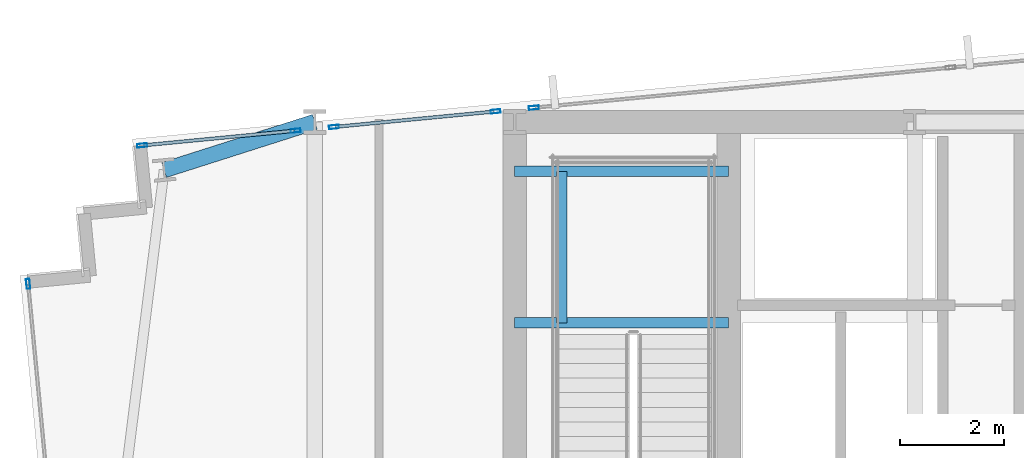
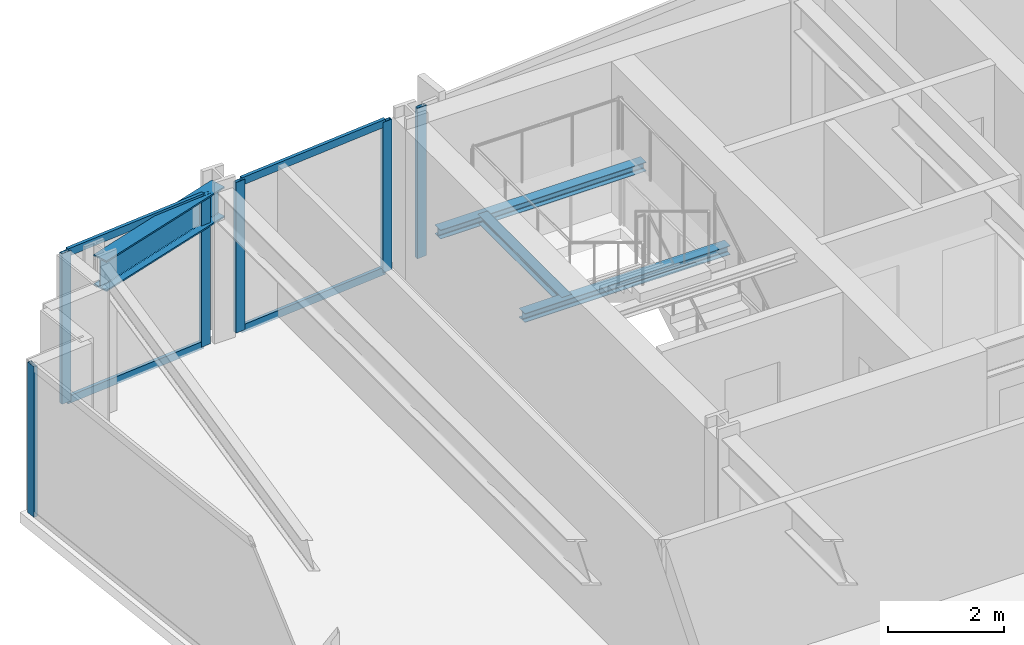
# One storey, part 17 of 32: 10 members, 4 beams, 4 elements without a shape of their own.
"""IFC4 building model written with IfcOpenShell, lengths in metres."""

from ifc_helpers import new_model, si_unit, direction, frame, origin, origin_2d, place, context, subcontext, project, spatial, hollow_rectangle, i_section, extrude, material, material_profile, profile_set, type_object, element, aggregate, save


model = new_model("IFC4")

# Units and contexts
model_context = context("Model", 3, precision=1e-05, world=origin(), true_north=direction((0.0, 1.0)))
body_context = subcontext(model_context, "Body", "Model", "MODEL_VIEW")
ifc_project = project(units=[si_unit("LENGTHUNIT", "METRE"), si_unit("AREAUNIT", "SQUARE_METRE"), si_unit("VOLUMEUNIT", "CUBIC_METRE"), si_unit("PLANEANGLEUNIT", "RADIAN"), si_unit("MASSUNIT", "GRAM", prefix="KILO")], contexts=[model_context])

# Site, building, storey
site_placement = place(None, origin())
site = spatial("IfcSite", under=ifc_project, at=site_placement, CompositionType="ELEMENT")
building_placement = place(site_placement, origin())
building = spatial("IfcBuilding", under=site, at=building_placement, Name="Yelkora Congress Tower", CompositionType="ELEMENT")
storey_placement = place(building_placement, frame((0.0, 0.0, 96.5)))
storey = spatial("IfcBuildingStorey", under=building, at=storey_placement, Name="L25", CompositionType="ELEMENT", Elevation=96.5)

# Beams
ifc_material_1 = material(Name="Steel S355J2", Category="steel")
ifc_material_profile_1 = material_profile(ifc_material_1, i_section(OverallWidth=0.300048828125, OverallDepth=0.64990234375, WebThickness=0.01611328125, FlangeThickness=0.031005859375, FilletRadius=0.027099609375, at=origin_2d()), Name="HEB 650")
ifc_profile_set_1 = profile_set([ifc_material_profile_1], Name="Steel S355J2")
beam_type_1 = type_object("IfcBeamType", Name="BM-GIRD-HEB650", PredefinedType="BEAM", material=ifc_profile_set_1)
beam_1_placement = place(storey_placement, frame((16.306884765625, 45.27734375, 2.85498046875), z_axis=(0.952727067409, 0.303827475759, 0.0), x_axis=(-0.303827475759, 0.952727067409, 0.0)))
element("IfcBeam", 1, at=beam_1_placement, inside=storey, type_object=beam_type_1, Name="L25 Primary Frame Girder N01", PredefinedType="BEAM", context=body_context, shape_type="SweptSolid", body=[
    extrude(i_section(OverallWidth=0.300048828125, OverallDepth=0.64990234375, WebThickness=0.01611328125, FlangeThickness=0.031005859375, FilletRadius=0.027099609375, at=origin_2d()), origin(), (0.0, 0.0, 1.0), 3.03662109375),
])
ifc_material_profile_2 = material_profile(ifc_material_1, i_section(OverallWidth=0.199951171875, OverallDepth=0.18994140625, WebThickness=0.006591796875, FlangeThickness=0.010009765625, FilletRadius=0.01806640625, at=origin_2d()), Name="HEA 200")
ifc_profile_set_2 = profile_set([ifc_material_profile_2], Name="Steel S355J2")
beam_type_2 = type_object("IfcBeamType", Name="BM-LAND-HEA200", PredefinedType="BEAM", material=ifc_profile_set_2)
for number, where, z_axis, x_axis, name in (
    (2, (23.0400390625, 42.340087890625, 1.384521484375), (1.0, 0.0, 0.0), (0.0, 1.0, 0.0), "ST-01 L25 Landing Header Beam 1S"),
    (3, (23.0400390625, 45.25, 1.384521484375), (1.0, 0.0, 0.0), (0.0, 1.0, 0.0), "ST-01 L25 Landing Header Beam 1N"),
):
    element("IfcBeam", number, at=place(storey_placement, frame(where, z_axis=z_axis, x_axis=x_axis)), inside=storey, type_object=beam_type_2, Name=name, PredefinedType="BEAM", context=body_context, shape_type="SweptSolid", body=[
        extrude(i_section(OverallWidth=0.199951171875, OverallDepth=0.18994140625, WebThickness=0.006591796875, FlangeThickness=0.010009765625, FilletRadius=0.01806640625, at=origin_2d()), origin(), (0.0, 0.0, 1.0), 4.10986328125),
    ])
beam_2_placement = place(storey_placement, frame((23.93994140625, 42.340087890625, 1.384521484375), z_axis=(0.0, 1.0, 0.0), x_axis=(-1.0, 0.0, 0.0)))
element("IfcBeam", 4, at=beam_2_placement, inside=storey, type_object=beam_type_2, Name="ST-01 L25 Landing Trimmer Beam 1M", PredefinedType="BEAM", context=body_context, shape_type="SweptSolid", body=[
    extrude(i_section(OverallWidth=0.199951171875, OverallDepth=0.18994140625, WebThickness=0.006591796875, FlangeThickness=0.010009765625, FilletRadius=0.01806640625, at=origin_2d()), origin(), (0.0, 0.0, 1.0), 2.909912109375),
])

# Curtain wall, member
ifc_material_2 = material(Name="Anodised aluminium and insulated glass", Category="aluminium")
curtain_wall_type = type_object("IfcCurtainWallType", Name="CW-SYS-B2", PredefinedType="NOTDEFINED", material=ifc_material_2)
curtain_wall_1_placement = place(storey_placement, origin())
curtain_wall_1 = element("IfcCurtainWall", 5, at=curtain_wall_1_placement, inside=storey, type_object=curtain_wall_type, Name="L25 Unitised Curtain Wall 5", PredefinedType="NOTDEFINED")
ifc_material_3 = material(Name="Anodised aluminium 6063-T6", Category="aluminium")
ifc_material_profile_3 = material_profile(ifc_material_3, hollow_rectangle(XDim=0.070068359375, YDim=0.18994140625, WallThickness=0.00390625, at=origin_2d()), Name="ALU 70x190x4")
ifc_profile_set_3 = profile_set([ifc_material_profile_3], Name="Anodised aluminium 6063-T6")
member_type_1 = type_object("IfcMemberType", Name="MEM-ML-B2", PredefinedType="MULLION", material=ifc_profile_set_3)
member_1_placement = place(storey_placement, frame((13.6943359375, 43.091796875, 0.0), z_axis=(0.0, 0.0, 1.0), x_axis=(-0.995396507508, -0.095842541913, 0.0)))
member_1 = element("IfcMember", 6, at=member_1_placement, type_object=member_type_1, Name="CW-B2 mullion 5", PredefinedType="MULLION", context=body_context, shape_type="SweptSolid", body=[
    extrude(hollow_rectangle(XDim=0.070068359375, YDim=0.18994140625, WallThickness=0.00390625, at=origin_2d()), origin(), (0.0, 0.0, 1.0), 3.179931640625),
])
aggregate(curtain_wall_1, [member_1])

# Curtain wall, members
curtain_wall_2_placement = place(storey_placement, origin())
curtain_wall_2 = element("IfcCurtainWall", 7, at=curtain_wall_2_placement, inside=storey, type_object=curtain_wall_type, Name="L25 Unitised Curtain Wall 10 (1)", PredefinedType="NOTDEFINED")
member_2_placement = place(storey_placement, frame((15.884521484375, 45.7490234375, 0.0), z_axis=(0.0, 0.0, 1.0), x_axis=(-0.095839346142, 0.99539681521, 0.0)))
member_2 = element("IfcMember", 8, at=member_2_placement, type_object=member_type_1, Name="CW-B2 mullion 1", PredefinedType="MULLION", context=body_context, shape_type="SweptSolid", body=[
    extrude(hollow_rectangle(XDim=0.070068359375, YDim=0.18994140625, WallThickness=0.00390625, at=origin_2d()), origin(), (0.0, 0.0, 1.0), 3.179931640625),
])
member_3_placement = place(storey_placement, frame((18.833251953125, 46.032958984375, 0.0), z_axis=(0.0, 0.0, 1.0), x_axis=(-0.095839346142, 0.99539681521, 0.0)))
member_3 = element("IfcMember", 9, at=member_3_placement, type_object=member_type_1, Name="CW-B2 mullion 2", PredefinedType="MULLION", context=body_context, shape_type="SweptSolid", body=[
    extrude(hollow_rectangle(XDim=0.070068359375, YDim=0.18994140625, WallThickness=0.00390625, at=origin_2d()), origin(), (0.0, 0.0, 1.0), 3.179931640625),
])

curtain_wall_3_placement = place(storey_placement, origin())
curtain_wall_3 = element("IfcCurtainWall", 10, at=curtain_wall_3_placement, inside=storey, type_object=curtain_wall_type, Name="L25 Unitised Curtain Wall 10 (2)", PredefinedType="NOTDEFINED")
member_4_placement = place(storey_placement, frame((19.56689453125, 46.103515625, 0.0), z_axis=(0.0, 0.0, 1.0), x_axis=(-0.095841399764, 0.99539661748, 0.0)))
member_4 = element("IfcMember", 11, at=member_4_placement, type_object=member_type_1, Name="CW-B2 mullion 1", PredefinedType="MULLION", context=body_context, shape_type="SweptSolid", body=[
    extrude(hollow_rectangle(XDim=0.070068359375, YDim=0.18994140625, WallThickness=0.00390625, at=origin_2d()), origin(), (0.0, 0.0, 1.0), 3.179931640625),
])
member_5_placement = place(storey_placement, frame((22.673095703125, 46.402587890625, 0.0), z_axis=(0.0, 0.0, 1.0), x_axis=(-0.095841399764, 0.99539661748, 0.0)))
member_5 = element("IfcMember", 12, at=member_5_placement, type_object=member_type_1, Name="CW-B2 mullion 2", PredefinedType="MULLION", context=body_context, shape_type="SweptSolid", body=[
    extrude(hollow_rectangle(XDim=0.070068359375, YDim=0.18994140625, WallThickness=0.00390625, at=origin_2d()), origin(), (0.0, 0.0, 1.0), 3.179931640625),
])

# Curtain wall, member
curtain_wall_4_placement = place(storey_placement, origin())
curtain_wall_4 = element("IfcCurtainWall", 13, at=curtain_wall_4_placement, inside=storey, type_object=curtain_wall_type, Name="L25 Unitised Curtain Wall 10 (3)", PredefinedType="NOTDEFINED")
member_6_placement = place(storey_placement, frame((23.40673828125, 46.473388671875, 0.0), z_axis=(0.0, 0.0, 1.0), x_axis=(-0.095844238468, 0.995396344153, 0.0)))
member_6 = element("IfcMember", 14, at=member_6_placement, type_object=member_type_1, Name="CW-B2 mullion 1", PredefinedType="MULLION", context=body_context, shape_type="SweptSolid", body=[
    extrude(hollow_rectangle(XDim=0.070068359375, YDim=0.18994140625, WallThickness=0.00390625, at=origin_2d()), origin(), (0.0, 0.0, 1.0), 3.179931640625),
])
aggregate(curtain_wall_4, [member_6])

# Member
ifc_material_profile_4 = material_profile(ifc_material_3, hollow_rectangle(XDim=0.06494140625, YDim=0.159912109375, WallThickness=0.00390625, at=origin_2d()), Name="ALU 65x160x4")
ifc_profile_set_4 = profile_set([ifc_material_profile_4], Name="Anodised aluminium 6063-T6")
member_type_2 = type_object("IfcMemberType", Name="MEM-TR-B2", PredefinedType="USERDEFINED", material=ifc_profile_set_4)
member_7_placement = place(storey_placement, frame((15.91943359375, 45.75244140625, 0.032470703125), z_axis=(0.995399744854, 0.095808913705, 0.0), x_axis=(-0.095808913705, 0.995399744854, 0.0)))
member_7 = element("IfcMember", 15, at=member_7_placement, type_object=member_type_2, Name="CW-B2 transom 1.1", ObjectType="TRANSOM", PredefinedType="USERDEFINED", context=body_context, shape_type="SweptSolid", body=[
    extrude(hollow_rectangle(XDim=0.06494140625, YDim=0.159912109375, WallThickness=0.00390625, at=origin_2d()), origin(), (0.0, 0.0, 1.0), 2.89208984375),
])

member_8_placement = place(storey_placement, frame((15.91943359375, 45.75244140625, 3.1474609375), z_axis=(0.995399744854, 0.095808913705, 0.0), x_axis=(-0.095808913705, 0.995399744854, 0.0)))
member_8 = element("IfcMember", 16, at=member_8_placement, type_object=member_type_2, Name="CW-B2 transom 1.2", ObjectType="TRANSOM", PredefinedType="USERDEFINED", context=body_context, shape_type="SweptSolid", body=[
    extrude(hollow_rectangle(XDim=0.06494140625, YDim=0.159912109375, WallThickness=0.00390625, at=origin_2d()), origin(), (0.0, 0.0, 1.0), 2.89208984375),
])

aggregate(curtain_wall_2, [member_2, member_3, member_7, member_8])

member_9_placement = place(storey_placement, frame((19.6015625, 46.10693359375, 0.032470703125), z_axis=(0.995401842144, 0.095787121557, 0.0), x_axis=(-0.095787121557, 0.995401842144, 0.0)))
member_9 = element("IfcMember", 17, at=member_9_placement, type_object=member_type_2, Name="CW-B2 transom 1.1", ObjectType="TRANSOM", PredefinedType="USERDEFINED", context=body_context, shape_type="SweptSolid", body=[
    extrude(hollow_rectangle(XDim=0.06494140625, YDim=0.159912109375, WallThickness=0.00390625, at=origin_2d()), origin(), (0.0, 0.0, 1.0), 3.05078125),
])

member_10_placement = place(storey_placement, frame((19.6015625, 46.10693359375, 3.1474609375), z_axis=(0.995401842144, 0.095787121557, 0.0), x_axis=(-0.095787121557, 0.995401842144, 0.0)))
member_10 = element("IfcMember", 18, at=member_10_placement, type_object=member_type_2, Name="CW-B2 transom 1.2", ObjectType="TRANSOM", PredefinedType="USERDEFINED", context=body_context, shape_type="SweptSolid", body=[
    extrude(hollow_rectangle(XDim=0.06494140625, YDim=0.159912109375, WallThickness=0.00390625, at=origin_2d()), origin(), (0.0, 0.0, 1.0), 3.05078125),
])

aggregate(curtain_wall_3, [member_4, member_5, member_9, member_10])

save(model, "model.ifc")
